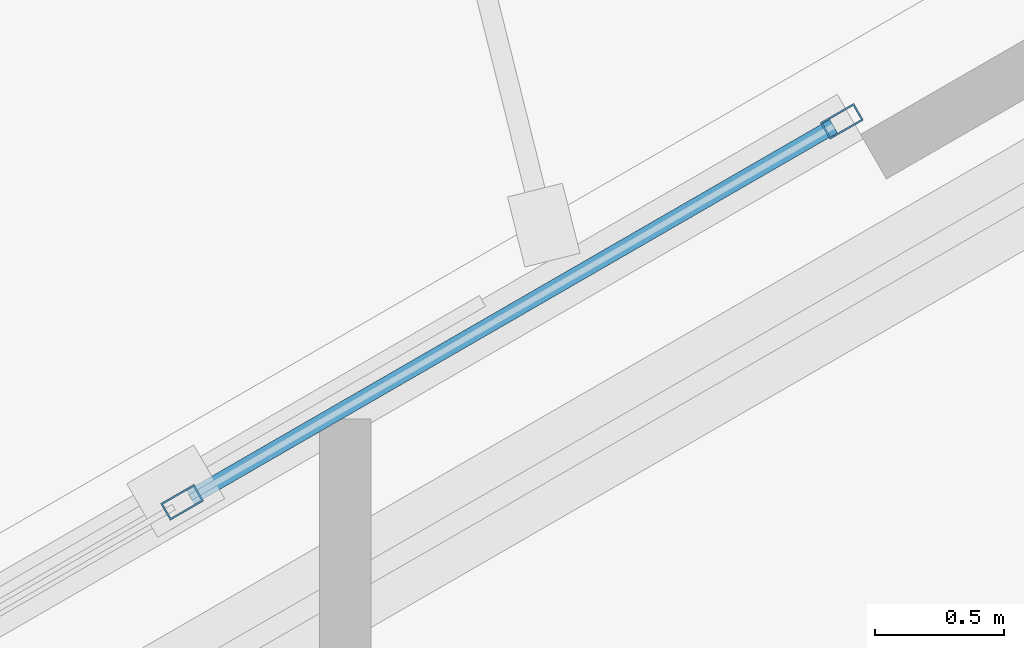
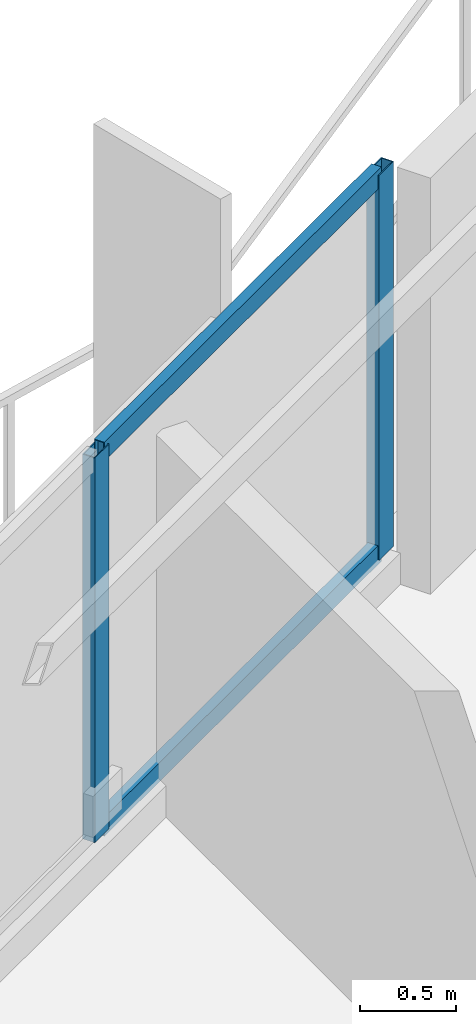
# One storey, part 9 of 18: 4 members, 1 element without a shape of its own.
"""IFC4 building model written with IfcOpenShell, lengths in metres."""

from ifc_helpers import new_model, si_unit, direction, frame, origin, origin_2d, place, context, subcontext, project, spatial, hollow_rectangle, extrude, material, layer, layer_set, material_profile, profile_set, type_object, element, aggregate, save


model = new_model("IFC4")

# Units and contexts
model_context = context("Model", 3, precision=1e-05, world=origin(), true_north=direction((0.0, 1.0)))
body_context = subcontext(model_context, "Body", "Model", "MODEL_VIEW")
ifc_project = project(units=[si_unit("LENGTHUNIT", "METRE"), si_unit("AREAUNIT", "SQUARE_METRE"), si_unit("VOLUMEUNIT", "CUBIC_METRE"), si_unit("PLANEANGLEUNIT", "RADIAN"), si_unit("MASSUNIT", "GRAM", prefix="KILO")], contexts=[model_context])

# Site, building, storey
site_placement = place(None, origin())
site = spatial("IfcSite", under=ifc_project, at=site_placement, CompositionType="ELEMENT")
building_placement = place(site_placement, origin())
building = spatial("IfcBuilding", under=site, at=building_placement, Name="Mersakhor Tower and Convention Hall", CompositionType="ELEMENT")
storey_placement = place(building_placement, frame((0.0, 0.0, 58.800048828125)))
storey = spatial("IfcBuildingStorey", under=building, at=storey_placement, Name="L16", CompositionType="ELEMENT", Elevation=58.800048828125)

# Curtain wall, members
ifc_material_1 = material(Name="Dark solar low-E aluminium curtain wall", Category="aluminium")
ifc_layer = layer(ifc_material_1, 0.159912109375)
ifc_layer_set = layer_set([ifc_layer], Name="Dark solar low-E aluminium curtain wall")
curtain_wall_type = type_object("IfcCurtainWallType", Name="CW-SYS-01", PredefinedType="USERDEFINED", material=ifc_layer_set)
curtain_wall_placement = place(storey_placement, origin())
curtain_wall = element("IfcCurtainWall", 1, at=curtain_wall_placement, inside=storey, type_object=curtain_wall_type, Name="L16 Dark-Glass Curtain Wall F1-B2", ObjectType="CURTAIN WALL", PredefinedType="USERDEFINED")
ifc_material_2 = material(Name="Anodised aluminium EN AW-6063 T6", Category="aluminium")
ifc_material_profile_1 = material_profile(ifc_material_2, hollow_rectangle(XDim=0.074951171875, YDim=0.14990234375, WallThickness=0.00634765625, at=origin_2d()), Name="RHS 150x75x6.3")
ifc_profile_set_1 = profile_set([ifc_material_profile_1], Name="Anodised aluminium EN AW-6063 T6")
member_type_1 = type_object("IfcMemberType", Name="CWM-150x75", PredefinedType="MULLION", material=ifc_profile_set_1)
member_1_placement = place(storey_placement, frame((24.167236328125, 41.107177734375, 0.199951171875), z_axis=(0.0, 0.0, 1.0), x_axis=(-0.50000344889, 0.866023412558, 0.0)))
member_1 = element("IfcMember", 2, at=member_1_placement, type_object=member_type_1, Name="CW-01 mullion 4", PredefinedType="MULLION", context=body_context, shape_type="SweptSolid", body=[
    extrude(hollow_rectangle(XDim=0.074951171875, YDim=0.14990234375, WallThickness=0.00634765625, at=origin_2d()), origin(), (0.0, 0.0, 1.0), 2.43994140625),
])
member_2_placement = place(storey_placement, frame((26.72705078125, 42.5849609375, 0.199951171875), z_axis=(0.0, 0.0, 1.0), x_axis=(-0.50000344889, 0.866023412558, 0.0)))
member_2 = element("IfcMember", 3, at=member_2_placement, type_object=member_type_1, Name="CW-01 mullion 5", PredefinedType="MULLION", context=body_context, shape_type="SweptSolid", body=[
    extrude(hollow_rectangle(XDim=0.074951171875, YDim=0.14990234375, WallThickness=0.00634765625, at=origin_2d()), origin(), (0.0, 0.0, 1.0), 2.43994140625),
])
ifc_material_3 = material(Name="Anodised aluminium EN AW-6063 T6", Category="aluminium")
ifc_material_profile_2 = material_profile(ifc_material_3, hollow_rectangle(XDim=0.06005859375, YDim=0.1201171875, WallThickness=0.0048828125, at=origin_2d()), Name="RHS 120x60x5")
ifc_profile_set_2 = profile_set([ifc_material_profile_2], Name="Anodised aluminium EN AW-6063 T6")
member_type_2 = type_object("IfcMemberType", Name="CWT-120x60", PredefinedType="USERDEFINED", material=ifc_profile_set_2)
member_3_placement = place(storey_placement, frame((24.19970703125, 41.1259765625, 0.22998046875), z_axis=(0.866023290103, 0.500003660985, 0.0), x_axis=(-0.500003660985, 0.866023290103, 0.0)))
member_3 = element("IfcMember", 4, at=member_3_placement, type_object=member_type_2, Name="CW-01 transom 4.1", ObjectType="TRANSOM", PredefinedType="USERDEFINED", context=body_context, shape_type="SweptSolid", body=[
    extrude(hollow_rectangle(XDim=0.06005859375, YDim=0.1201171875, WallThickness=0.0048828125, at=origin_2d()), origin(), (0.0, 0.0, 1.0), 2.880859375),
])
member_4_placement = place(storey_placement, frame((24.19970703125, 41.1259765625, 2.60986328125), z_axis=(0.866023290103, 0.500003660985, 0.0), x_axis=(-0.500003660985, 0.866023290103, 0.0)))
member_4 = element("IfcMember", 5, at=member_4_placement, type_object=member_type_2, Name="CW-01 transom 4.2", ObjectType="TRANSOM", PredefinedType="USERDEFINED", context=body_context, shape_type="SweptSolid", body=[
    extrude(hollow_rectangle(XDim=0.06005859375, YDim=0.1201171875, WallThickness=0.0048828125, at=origin_2d()), origin(), (0.0, 0.0, 1.0), 2.880859375),
])
aggregate(curtain_wall, [member_1, member_2, member_3, member_4])

save(model, "model.ifc")
